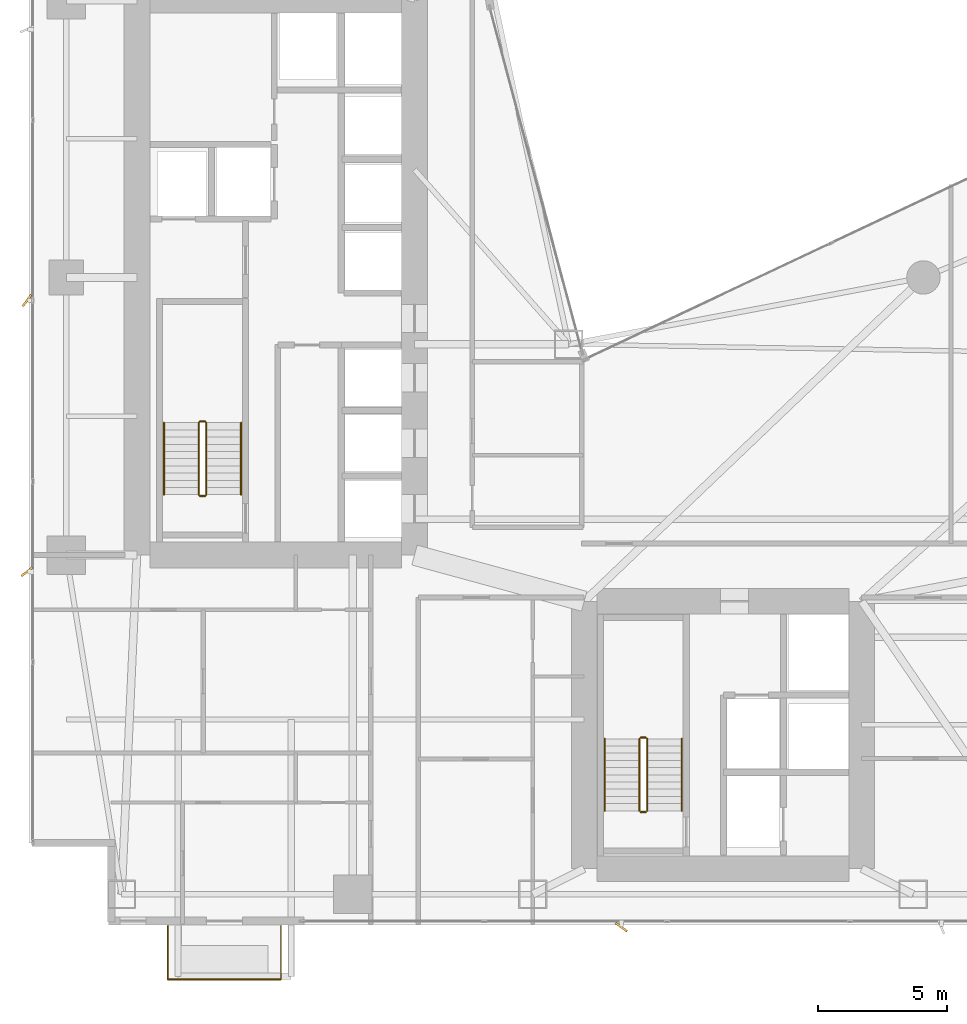
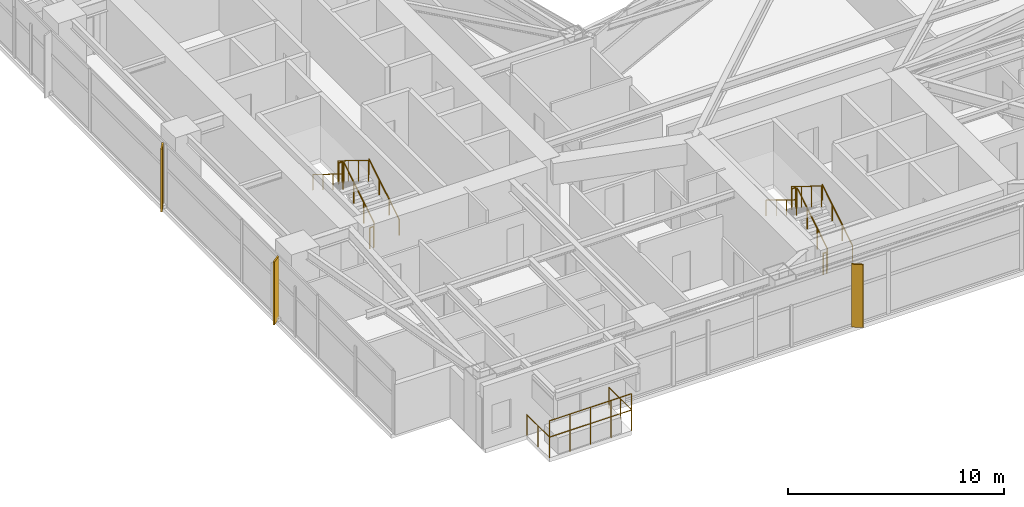
# One storey, part 28 of 30: 14 railings, 3 shading devices.
"""IFC4 building model written with IfcOpenShell, lengths in metres."""

from ifc_helpers import new_model, si_unit, direction, frame, origin, origin_2d, place, context, subcontext, project, spatial, rectangle, circle, extrude, material, type_object, element, save


model = new_model("IFC4")

# Units and contexts
model_context = context("Model", 3, precision=1e-05, world=origin(), true_north=direction((0.0, 1.0)))
body_context = subcontext(model_context, "Body", "Model", "MODEL_VIEW")
ifc_project = project(units=[si_unit("LENGTHUNIT", "METRE"), si_unit("AREAUNIT", "SQUARE_METRE"), si_unit("VOLUMEUNIT", "CUBIC_METRE"), si_unit("PLANEANGLEUNIT", "RADIAN"), si_unit("MASSUNIT", "GRAM", prefix="KILO")], contexts=[model_context])

# Site, building, storey
site_placement = place(None, origin())
site = spatial("IfcSite", under=ifc_project, at=site_placement, CompositionType="ELEMENT")
building_placement = place(site_placement, origin())
building = spatial("IfcBuilding", under=site, at=building_placement, Name="Calvorn Quay Hotel", CompositionType="ELEMENT")
storey_placement = place(building_placement, frame((0.0, 0.0, 30.800048828125)))
storey = spatial("IfcBuildingStorey", under=building, at=storey_placement, Name="L06", CompositionType="ELEMENT", Elevation=30.800048828125)

# Railings
ifc_material_1 = material(Name="Pale Anodised Aluminium and Laminated Glass", Category="aluminium")
railing_type_1 = type_object("IfcRailingType", Name="RLG-BALUSTRADE-1200", PredefinedType="BALUSTRADE", material=ifc_material_1)
railing_1_placement = place(storey_placement, frame((5.39990234375, 2.389892578125, 0.0)))
element("IfcRailing", 1, at=railing_1_placement, inside=storey, type_object=railing_type_1, Name="Tree Balcony Perimeter Balustrade L06-BALC-S", PredefinedType="BALUSTRADE", context=body_context, shape_type="SweptSolid", body=[
    extrude(circle(Radius=0.02392578125, at=origin_2d()), frame((0.0, 0.0, 1.17578125), z_axis=(0.0, -1.0, 0.0), x_axis=(1.0, 0.0, 0.0)), (0.0, 0.0, 1.0), 2.099853515625),
    extrude(circle(Radius=0.02392578125, at=origin_2d()), frame((0.0, -2.099853515625, 1.17578125), z_axis=(1.0, 0.0, 0.0), x_axis=(0.0, 1.0, 0.0)), (0.0, 0.0, 1.0), 4.400146484375),
    extrude(circle(Radius=0.02392578125, at=origin_2d()), frame((4.400146484375, -2.099853515625, 1.17578125), z_axis=(0.0, 1.0, 0.0), x_axis=(-1.0, 0.0, 0.0)), (0.0, 0.0, 1.0), 2.099853515625),
    extrude(circle(Radius=0.02099609375, at=origin_2d()), origin(), (0.0, 0.0, 1.0), 1.15185546875),
    extrude(circle(Radius=0.02099609375, at=origin_2d()), frame((0.0, -1.0498046875, 0.0)), (0.0, 0.0, 1.0), 1.15185546875),
    extrude(circle(Radius=0.02099609375, at=origin_2d()), frame((0.0, -2.099853515625, 0.0)), (0.0, 0.0, 1.0), 1.15185546875),
    extrude(circle(Radius=0.02099609375, at=origin_2d()), frame((1.10009765625, -2.099853515625, 0.0)), (0.0, 0.0, 1.0), 1.15185546875),
    extrude(circle(Radius=0.02099609375, at=origin_2d()), frame((2.2001953125, -2.099853515625, 0.0)), (0.0, 0.0, 1.0), 1.15185546875),
    extrude(circle(Radius=0.02099609375, at=origin_2d()), frame((3.300048828125, -2.099853515625, 0.0)), (0.0, 0.0, 1.0), 1.15185546875),
    extrude(circle(Radius=0.02099609375, at=origin_2d()), frame((4.400146484375, -2.099853515625, 0.0)), (0.0, 0.0, 1.0), 1.15185546875),
    extrude(circle(Radius=0.02099609375, at=origin_2d()), frame((4.400146484375, -1.0498046875, 0.0)), (0.0, 0.0, 1.0), 1.15185546875),
    extrude(circle(Radius=0.02099609375, at=origin_2d()), frame((4.400146484375, 0.0, 0.0)), (0.0, 0.0, 1.0), 1.15185546875),
])
railing_2_placement = place(storey_placement, frame((5.39990234375, 0.2900390625, 0.89990234375)))
element("IfcRailing", 2, at=railing_2_placement, inside=storey, type_object=railing_type_1, Name="Planter Kerb High Safety Screen L06-BALC-S", PredefinedType="BALUSTRADE", context=body_context, shape_type="SweptSolid", body=[
    extrude(circle(Radius=0.02392578125, at=origin_2d()), frame((0.0, 0.0, 1.19580078125), z_axis=(1.0, 0.0, 0.0), x_axis=(0.0, 1.0, 0.0)), (0.0, 0.0, 1.0), 4.400146484375),
    extrude(circle(Radius=0.02099609375, at=origin_2d()), origin(), (0.0, 0.0, 1.0), 1.171875),
    extrude(circle(Radius=0.02099609375, at=origin_2d()), frame((1.10009765625, 0.0, 0.0)), (0.0, 0.0, 1.0), 1.171875),
    extrude(circle(Radius=0.02099609375, at=origin_2d()), frame((2.2001953125, 0.0, 0.0)), (0.0, 0.0, 1.0), 1.171875),
    extrude(circle(Radius=0.02099609375, at=origin_2d()), frame((3.300048828125, 0.0, 0.0)), (0.0, 0.0, 1.0), 1.171875),
    extrude(circle(Radius=0.02099609375, at=origin_2d()), frame((4.400146484375, 0.0, 0.0)), (0.0, 0.0, 1.0), 1.171875),
])
ifc_material_2 = material(Name="Brushed Stainless Steel Handrail", Category="steel")
railing_type_2 = type_object("IfcRailingType", Name="RLG-HANDRAIL-900", PredefinedType="HANDRAIL", material=ifc_material_2)
railing_3_placement = place(storey_placement, frame((8.25, 19.14990234375, 0.172607421875)))
element("IfcRailing", 3, at=railing_3_placement, inside=storey, type_object=railing_type_2, Name="L06 ST-W stair handrail 1", PredefinedType="HANDRAIL", context=body_context, shape_type="SweptSolid", body=[
    extrude(circle(Radius=0.02392578125, at=origin_2d()), frame((0.0, 0.0, 0.8759765625), z_axis=(0.0, 0.851089632645, 0.525020415988), x_axis=(-1.0, 0.0, 0.0)), (0.0, 0.0, 1.0), 3.2900390625),
    extrude(circle(Radius=0.02099609375, at=origin_2d()), origin(), (0.0, 0.0, 1.0), 0.851806640625),
    extrude(circle(Radius=0.02099609375, at=origin_2d()), frame((0.0, 0.933349609375, 0.57568359375)), (0.0, 0.0, 1.0), 0.851806640625),
    extrude(circle(Radius=0.02099609375, at=origin_2d()), frame((0.0, 1.86669921875, 1.151611328125)), (0.0, 0.0, 1.0), 0.851806640625),
    extrude(circle(Radius=0.02099609375, at=origin_2d()), frame((0.0, 2.800048828125, 1.727294921875)), (0.0, 0.0, 1.0), 0.851806640625),
])
railing_4_placement = place(storey_placement, frame((5.25, 21.949951171875, 2.07275390625)))
element("IfcRailing", 4, at=railing_4_placement, inside=storey, type_object=railing_type_2, Name="L06 ST-W stair handrail 2", PredefinedType="HANDRAIL", context=body_context, shape_type="SweptSolid", body=[
    extrude(circle(Radius=0.02392578125, at=origin_2d()), frame((0.0, 0.0, 0.8759765625), z_axis=(0.0, -0.851089632645, 0.525020415988), x_axis=(1.0, 0.0, 0.0)), (0.0, 0.0, 1.0), 3.2900390625),
    extrude(circle(Radius=0.02099609375, at=origin_2d()), origin(), (0.0, 0.0, 1.0), 0.851806640625),
    extrude(circle(Radius=0.02099609375, at=origin_2d()), frame((0.0, -0.933349609375, 0.57568359375)), (0.0, 0.0, 1.0), 0.851806640625),
    extrude(circle(Radius=0.02099609375, at=origin_2d()), frame((0.0, -1.86669921875, 1.151611328125)), (0.0, 0.0, 1.0), 0.851806640625),
    extrude(circle(Radius=0.02099609375, at=origin_2d()), frame((0.0, -2.800048828125, 1.727294921875)), (0.0, 0.0, 1.0), 0.851806640625),
])
railing_5_placement = place(storey_placement, frame((25.39990234375, 6.85009765625, 0.172607421875)))
element("IfcRailing", 5, at=railing_5_placement, inside=storey, type_object=railing_type_2, Name="L06 ST-E stair handrail 1", PredefinedType="HANDRAIL", context=body_context, shape_type="SweptSolid", body=[
    extrude(circle(Radius=0.02392578125, at=origin_2d()), frame((0.0, 0.0, 0.8759765625), z_axis=(0.0, 0.851069175582, 0.525053576669), x_axis=(-1.0, 0.0, 0.0)), (0.0, 0.0, 1.0), 3.289794921875),
    extrude(circle(Radius=0.02099609375, at=origin_2d()), origin(), (0.0, 0.0, 1.0), 0.851806640625),
    extrude(circle(Radius=0.02099609375, at=origin_2d()), frame((0.0, 0.933349609375, 0.57568359375)), (0.0, 0.0, 1.0), 0.851806640625),
    extrude(circle(Radius=0.02099609375, at=origin_2d()), frame((0.0, 1.866455078125, 1.151611328125)), (0.0, 0.0, 1.0), 0.851806640625),
    extrude(circle(Radius=0.02099609375, at=origin_2d()), frame((0.0, 2.7998046875, 1.727294921875)), (0.0, 0.0, 1.0), 0.851806640625),
])
railing_6_placement = place(storey_placement, frame((22.39990234375, 9.64990234375, 2.07275390625)))
element("IfcRailing", 6, at=railing_6_placement, inside=storey, type_object=railing_type_2, Name="L06 ST-E stair handrail 2", PredefinedType="HANDRAIL", context=body_context, shape_type="SweptSolid", body=[
    extrude(circle(Radius=0.02392578125, at=origin_2d()), frame((0.0, 0.0, 0.8759765625), z_axis=(0.0, -0.851069175582, 0.525053576669), x_axis=(1.0, 0.0, 0.0)), (0.0, 0.0, 1.0), 3.289794921875),
    extrude(circle(Radius=0.02099609375, at=origin_2d()), origin(), (0.0, 0.0, 1.0), 0.851806640625),
    extrude(circle(Radius=0.02099609375, at=origin_2d()), frame((0.0, -0.933349609375, 0.57568359375)), (0.0, 0.0, 1.0), 0.851806640625),
    extrude(circle(Radius=0.02099609375, at=origin_2d()), frame((0.0, -1.866455078125, 1.151611328125)), (0.0, 0.0, 1.0), 0.851806640625),
    extrude(circle(Radius=0.02099609375, at=origin_2d()), frame((0.0, -2.7998046875, 1.727294921875)), (0.0, 0.0, 1.0), 0.851806640625),
])
ifc_material_3 = material(Name="Painted Galvanised Steel Balustrade", Category="steel")
railing_type_3 = type_object("IfcRailingType", Name="RLG-STAIR-GUARD-1120", PredefinedType="GUARDRAIL", material=ifc_material_3)
railing_7_placement = place(storey_placement, frame((6.89990234375, 19.14990234375, 0.172607421875)))
element("IfcRailing", 7, at=railing_7_placement, inside=storey, type_object=railing_type_3, Name="L06 ST-W stair guard 1", PredefinedType="GUARDRAIL", context=body_context, shape_type="SweptSolid", body=[
    extrude(circle(Radius=0.02392578125, at=origin_2d()), frame((0.0, 0.0, 1.17578125), z_axis=(0.0, 0.851089632645, 0.525020415988), x_axis=(-1.0, 0.0, 0.0)), (0.0, 0.0, 1.0), 3.2900390625),
    extrude(circle(Radius=0.02099609375, at=origin_2d()), origin(), (0.0, 0.0, 1.0), 1.15185546875),
    extrude(circle(Radius=0.02099609375, at=origin_2d()), frame((0.0, 0.933349609375, 0.57568359375)), (0.0, 0.0, 1.0), 1.15185546875),
    extrude(circle(Radius=0.02099609375, at=origin_2d()), frame((0.0, 1.86669921875, 1.151611328125)), (0.0, 0.0, 1.0), 1.15185546875),
    extrude(circle(Radius=0.02099609375, at=origin_2d()), frame((0.0, 2.800048828125, 1.727294921875)), (0.0, 0.0, 1.0), 1.15185546875),
])
railing_8_placement = place(storey_placement, frame((6.85009765625, 22.0, 1.89990234375)))
element("IfcRailing", 8, at=railing_8_placement, inside=storey, type_object=railing_type_3, Name="L06 ST-W stair guard 2", PredefinedType="GUARDRAIL", context=body_context, shape_type="SweptSolid", body=[
    extrude(circle(Radius=0.02392578125, at=origin_2d()), frame((0.0, 0.0, 1.17578125), z_axis=(-1.0, 0.0, 0.0), x_axis=(0.0, -1.0, 0.0)), (0.0, 0.0, 1.0), 0.2001953125),
    extrude(circle(Radius=0.02099609375, at=origin_2d()), origin(), (0.0, 0.0, 1.0), 1.15185546875),
    extrude(circle(Radius=0.02099609375, at=origin_2d()), frame((-0.2001953125, 0.0, 0.0)), (0.0, 0.0, 1.0), 1.15185546875),
])
railing_9_placement = place(storey_placement, frame((6.60009765625, 21.949951171875, 2.07275390625)))
element("IfcRailing", 9, at=railing_9_placement, inside=storey, type_object=railing_type_3, Name="L06 ST-W stair guard 3", PredefinedType="GUARDRAIL", context=body_context, shape_type="SweptSolid", body=[
    extrude(circle(Radius=0.02392578125, at=origin_2d()), frame((0.0, 0.0, 1.17578125), z_axis=(0.0, -0.851089632645, 0.525020415988), x_axis=(1.0, 0.0, 0.0)), (0.0, 0.0, 1.0), 3.2900390625),
    extrude(circle(Radius=0.02099609375, at=origin_2d()), origin(), (0.0, 0.0, 1.0), 1.15185546875),
    extrude(circle(Radius=0.02099609375, at=origin_2d()), frame((0.0, -0.933349609375, 0.57568359375)), (0.0, 0.0, 1.0), 1.15185546875),
    extrude(circle(Radius=0.02099609375, at=origin_2d()), frame((0.0, -1.86669921875, 1.151611328125)), (0.0, 0.0, 1.0), 1.15185546875),
    extrude(circle(Radius=0.02099609375, at=origin_2d()), frame((0.0, -2.800048828125, 1.727294921875)), (0.0, 0.0, 1.0), 1.15185546875),
])
railing_10_placement = place(storey_placement, frame((6.85009765625, 19.10009765625, 0.0)))
element("IfcRailing", 10, at=railing_10_placement, inside=storey, type_object=railing_type_3, Name="L06 ST-W stair guard 4", PredefinedType="GUARDRAIL", context=body_context, shape_type="SweptSolid", body=[
    extrude(circle(Radius=0.02392578125, at=origin_2d()), frame((0.0, 0.0, 1.17578125), z_axis=(-1.0, 0.0, 0.0), x_axis=(0.0, -1.0, 0.0)), (0.0, 0.0, 1.0), 0.2001953125),
    extrude(circle(Radius=0.02099609375, at=origin_2d()), origin(), (0.0, 0.0, 1.0), 1.15185546875),
    extrude(circle(Radius=0.02099609375, at=origin_2d()), frame((-0.2001953125, 0.0, 0.0)), (0.0, 0.0, 1.0), 1.15185546875),
])
railing_11_placement = place(storey_placement, frame((24.050048828125, 6.85009765625, 0.172607421875)))
element("IfcRailing", 11, at=railing_11_placement, inside=storey, type_object=railing_type_3, Name="L06 ST-E stair guard 1", PredefinedType="GUARDRAIL", context=body_context, shape_type="SweptSolid", body=[
    extrude(circle(Radius=0.02392578125, at=origin_2d()), frame((0.0, 0.0, 1.17578125), z_axis=(0.0, 0.851069175582, 0.525053576669), x_axis=(-1.0, 0.0, 0.0)), (0.0, 0.0, 1.0), 3.289794921875),
    extrude(circle(Radius=0.02099609375, at=origin_2d()), origin(), (0.0, 0.0, 1.0), 1.15185546875),
    extrude(circle(Radius=0.02099609375, at=origin_2d()), frame((0.0, 0.933349609375, 0.57568359375)), (0.0, 0.0, 1.0), 1.15185546875),
    extrude(circle(Radius=0.02099609375, at=origin_2d()), frame((0.0, 1.866455078125, 1.151611328125)), (0.0, 0.0, 1.0), 1.15185546875),
    extrude(circle(Radius=0.02099609375, at=origin_2d()), frame((0.0, 2.7998046875, 1.727294921875)), (0.0, 0.0, 1.0), 1.15185546875),
])
railing_12_placement = place(storey_placement, frame((24.0, 9.699951171875, 1.89990234375)))
element("IfcRailing", 12, at=railing_12_placement, inside=storey, type_object=railing_type_3, Name="L06 ST-E stair guard 2", PredefinedType="GUARDRAIL", context=body_context, shape_type="SweptSolid", body=[
    extrude(circle(Radius=0.02392578125, at=origin_2d()), frame((0.0, 0.0, 1.17578125), z_axis=(-1.0, 0.0, 0.0), x_axis=(0.0, -1.0, 0.0)), (0.0, 0.0, 1.0), 0.199951171875),
    extrude(circle(Radius=0.02099609375, at=origin_2d()), origin(), (0.0, 0.0, 1.0), 1.15185546875),
    extrude(circle(Radius=0.02099609375, at=origin_2d()), frame((-0.199951171875, 0.0, 0.0)), (0.0, 0.0, 1.0), 1.15185546875),
])
railing_13_placement = place(storey_placement, frame((23.75, 9.64990234375, 2.07275390625)))
element("IfcRailing", 13, at=railing_13_placement, inside=storey, type_object=railing_type_3, Name="L06 ST-E stair guard 3", PredefinedType="GUARDRAIL", context=body_context, shape_type="SweptSolid", body=[
    extrude(circle(Radius=0.02392578125, at=origin_2d()), frame((0.0, 0.0, 1.17578125), z_axis=(0.0, -0.851069175582, 0.525053576669), x_axis=(1.0, 0.0, 0.0)), (0.0, 0.0, 1.0), 3.289794921875),
    extrude(circle(Radius=0.02099609375, at=origin_2d()), origin(), (0.0, 0.0, 1.0), 1.15185546875),
    extrude(circle(Radius=0.02099609375, at=origin_2d()), frame((0.0, -0.933349609375, 0.57568359375)), (0.0, 0.0, 1.0), 1.15185546875),
    extrude(circle(Radius=0.02099609375, at=origin_2d()), frame((0.0, -1.866455078125, 1.151611328125)), (0.0, 0.0, 1.0), 1.15185546875),
    extrude(circle(Radius=0.02099609375, at=origin_2d()), frame((0.0, -2.7998046875, 1.727294921875)), (0.0, 0.0, 1.0), 1.15185546875),
])
railing_14_placement = place(storey_placement, frame((24.0, 6.800048828125, 0.0)))
element("IfcRailing", 14, at=railing_14_placement, inside=storey, type_object=railing_type_3, Name="L06 ST-E stair guard 4", PredefinedType="GUARDRAIL", context=body_context, shape_type="SweptSolid", body=[
    extrude(circle(Radius=0.02392578125, at=origin_2d()), frame((0.0, 0.0, 1.17578125), z_axis=(-1.0, 0.0, 0.0), x_axis=(0.0, -1.0, 0.0)), (0.0, 0.0, 1.0), 0.199951171875),
    extrude(circle(Radius=0.02099609375, at=origin_2d()), origin(), (0.0, 0.0, 1.0), 1.15185546875),
    extrude(circle(Radius=0.02099609375, at=origin_2d()), frame((-0.199951171875, 0.0, 0.0)), (0.0, 0.0, 1.0), 1.15185546875),
])

# Shading devices
ifc_material_4 = material(Name="Champagne Bronze Anodised Aluminium 6063-T6", Category="aluminium")
shading_device_type_1 = type_object("IfcShadingDeviceType", Name="SHD-FIN-A2", PredefinedType="USERDEFINED", material=ifc_material_4)
shading_device_placement = place(storey_placement, frame((-0.080078125, 16.14990234375, 0.0), z_axis=(0.0, 0.0, 1.0), x_axis=(0.788010753607, 0.615661475326, 0.0)))
element("IfcShadingDevice", 15, at=shading_device_placement, inside=storey, type_object=shading_device_type_1, Name="Diagonal Sun-Shading Fin L06-W01", ObjectType="FIN", PredefinedType="USERDEFINED", context=body_context, shape_type="SweptSolid", body=[
    extrude(rectangle(XDim=0.550048828125, YDim=0.080078125, at=origin_2d()), origin(), (0.0, 0.0, 1.0), 3.56005859375),
])
ifc_material_5 = material(Name="Champagne Bronze Anodised Aluminium 6063-T6", Category="aluminium")
shading_device_type_2 = type_object("IfcShadingDeviceType", Name="SHD-FIN-A3", PredefinedType="USERDEFINED", material=ifc_material_5)
for number, where, z_axis, x_axis, name in (
    (16, (-0.080078125, 26.699951171875, 0.0), (0.0, 0.0, 1.0), (0.587785252292, 0.809016994375, 0.0), "Diagonal Sun-Shading Fin L06-W02"),
    (17, (23.050048828125, 2.320068359375, 0.0), (0.0, 0.0, 1.0), (-0.809016994375, 0.587785252292, 0.0), "Diagonal Sun-Shading Fin L06-S01"),
):
    element("IfcShadingDevice", number, at=place(storey_placement, frame(where, z_axis=z_axis, x_axis=x_axis)), inside=storey, type_object=shading_device_type_2, Name=name, ObjectType="FIN", PredefinedType="USERDEFINED", context=body_context, shape_type="SweptSolid", body=[
        extrude(rectangle(XDim=0.550048828125, YDim=0.080078125, at=origin_2d()), origin(), (0.0, 0.0, 1.0), 3.56005859375),
    ])

save(model, "model.ifc")
